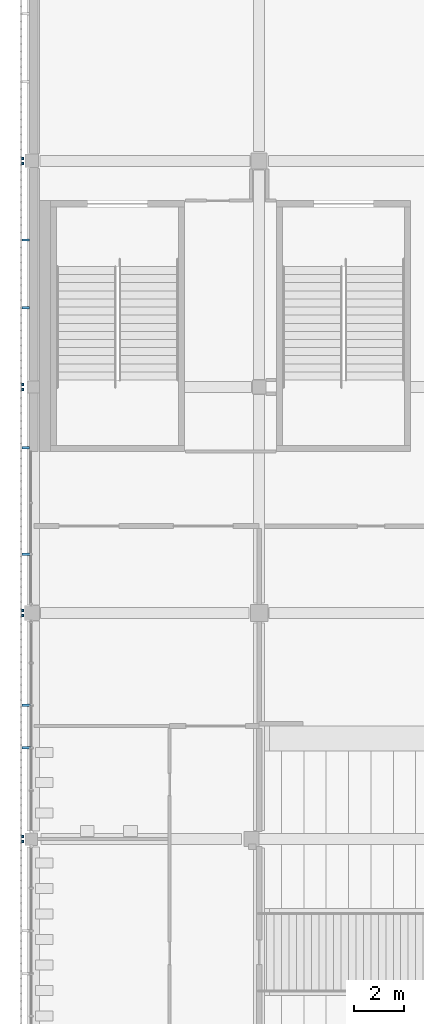
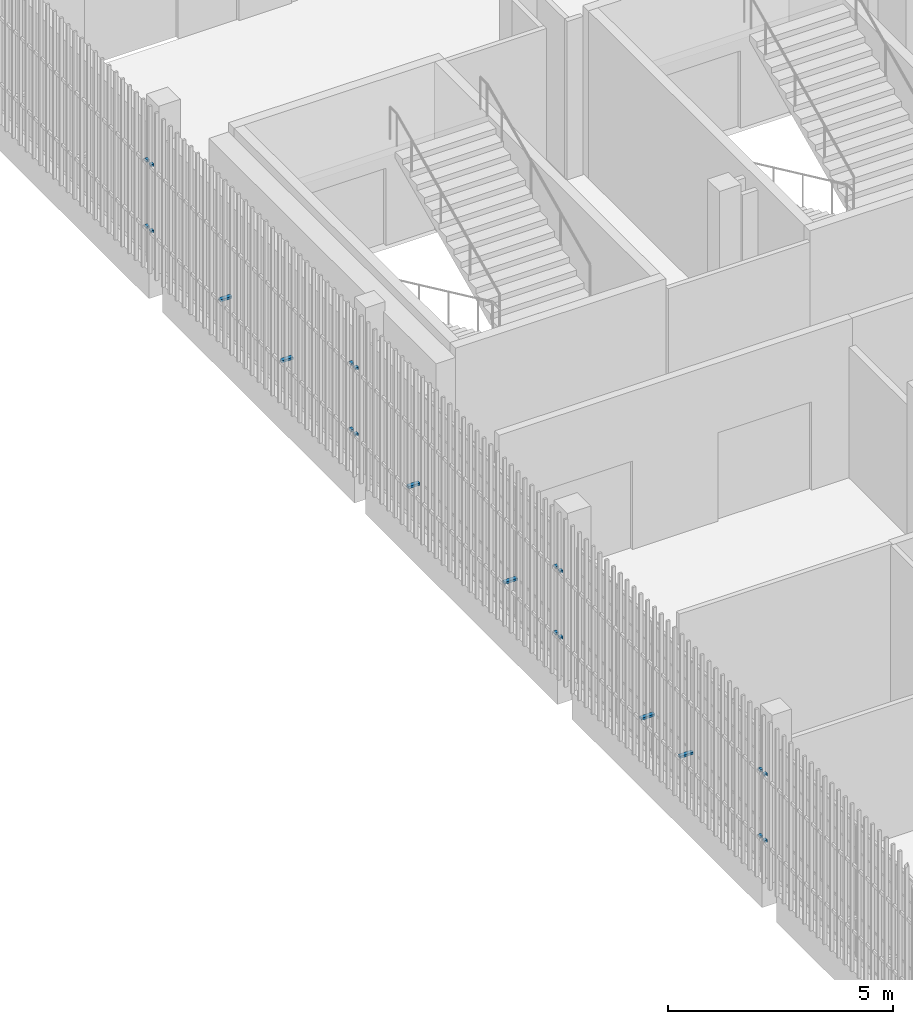
# One storey, part 104 of 139: 22 discrete accessories.
"""IFC4 building model written with IfcOpenShell, lengths in metres."""

from ifc_helpers import new_model, si_unit, direction, frame, origin, origin_2d, place, context, subcontext, project, spatial, rectangle, extrude, material, type_object, element, save


model = new_model("IFC4")

# Units and contexts
model_context = context("Model", 3, precision=1e-05, world=origin(), true_north=direction((0.0, 1.0)))
body_context = subcontext(model_context, "Body", "Model", "MODEL_VIEW")
ifc_project = project(units=[si_unit("LENGTHUNIT", "METRE"), si_unit("AREAUNIT", "SQUARE_METRE"), si_unit("VOLUMEUNIT", "CUBIC_METRE"), si_unit("PLANEANGLEUNIT", "RADIAN"), si_unit("MASSUNIT", "GRAM", prefix="KILO")], contexts=[model_context])

# Site, building, storey
site_placement = place(None, origin())
site = spatial("IfcSite", under=ifc_project, at=site_placement, CompositionType="ELEMENT")
building_placement = place(site_placement, origin())
building = spatial("IfcBuilding", under=site, at=building_placement, Name="Shirokan Park Arena", CompositionType="ELEMENT")
storey_placement = place(building_placement, frame((0.0, 0.0, 15.469970703125)))
storey = spatial("IfcBuildingStorey", under=building, at=storey_placement, Name="L03", CompositionType="ELEMENT", Elevation=15.469970703125)

# Discrete accessories
ifc_material = material(Name="Steel S355", Category="steel")
discrete_accessory_type = type_object("IfcDiscreteAccessoryType", Name="Veil bracket 100x60", PredefinedType="BRACKET", material=ifc_material)
for number, where, z_axis, x_axis, name in (
    (1, (-0.409912109375, 91.10009765625, 1.070068359375), (0.0, 0.0, 1.0), (0.0, -1.0, 0.0), "Veil bracket west bay 2 L03 2"),
    (2, (-0.409912109375, 91.10009765625, 2.8701171875), (0.0, 0.0, 1.0), (0.0, -1.0, 0.0), "Veil bracket west bay 2 L03 4"),
    (3, (-0.409912109375, 90.89990234375, 1.070068359375), (0.0, 0.0, 1.0), (0.0, -1.0, 0.0), "Veil bracket west bay 3 L03 1"),
    (4, (-0.409912109375, 82.0, 1.070068359375), (0.0, 0.0, 1.0), (0.0, -1.0, 0.0), "Veil bracket west bay 3 L03 2"),
    (5, (-0.409912109375, 90.89990234375, 2.8701171875), (0.0, 0.0, 1.0), (0.0, -1.0, 0.0), "Veil bracket west bay 3 L03 3"),
    (6, (-0.409912109375, 82.0, 2.8701171875), (0.0, 0.0, 1.0), (0.0, -1.0, 0.0), "Veil bracket west bay 3 L03 4"),
):
    element("IfcDiscreteAccessory", number, at=place(storey_placement, frame(where, z_axis=z_axis, x_axis=x_axis)), inside=storey, type_object=discrete_accessory_type, Name=name, PredefinedType="BRACKET", context=body_context, shape_type="SweptSolid", body=[
        extrude(rectangle(XDim=0.10009765625, YDim=0.070068359375, at=origin_2d()), origin(), (0.0, 0.0, 1.0), 0.06005859375),
    ])
for number, where, z_axis, x_axis, name in (
    (7, (-0.297607421875, 87.81494140625, 1.070068359375), (0.0, 0.0, 1.0), (0.0, -1.0, 0.0), "Veil bracket west bay 3 L03 wall 1"),
    (8, (-0.297607421875, 85.0849609375, 1.070068359375), (0.0, 0.0, 1.0), (0.0, -1.0, 0.0), "Veil bracket west bay 3 L03 wall 2"),
):
    element("IfcDiscreteAccessory", number, at=place(storey_placement, frame(where, z_axis=z_axis, x_axis=x_axis)), inside=storey, type_object=discrete_accessory_type, Name=name, PredefinedType="BRACKET", context=body_context, shape_type="SweptSolid", body=[
        extrude(rectangle(XDim=0.10009765625, YDim=0.294921875, at=origin_2d()), origin(), (0.0, 0.0, 1.0), 0.06005859375),
    ])
for number, where, z_axis, x_axis, name in (
    (9, (-0.409912109375, 81.800048828125, 1.070068359375), (0.0, 0.0, 1.0), (0.0, -1.0, 0.0), "Veil bracket west bay 4 L03 1"),
    (10, (-0.409912109375, 72.89990234375, 1.070068359375), (0.0, 0.0, 1.0), (0.0, -1.0, 0.0), "Veil bracket west bay 4 L03 2"),
    (11, (-0.409912109375, 81.800048828125, 2.8701171875), (0.0, 0.0, 1.0), (0.0, -1.0, 0.0), "Veil bracket west bay 4 L03 3"),
    (12, (-0.409912109375, 72.89990234375, 2.8701171875), (0.0, 0.0, 1.0), (0.0, -1.0, 0.0), "Veil bracket west bay 4 L03 4"),
):
    element("IfcDiscreteAccessory", number, at=place(storey_placement, frame(where, z_axis=z_axis, x_axis=x_axis)), inside=storey, type_object=discrete_accessory_type, Name=name, PredefinedType="BRACKET", context=body_context, shape_type="SweptSolid", body=[
        extrude(rectangle(XDim=0.10009765625, YDim=0.070068359375, at=origin_2d()), origin(), (0.0, 0.0, 1.0), 0.06005859375),
    ])
discrete_accessory_1_placement = place(storey_placement, frame((-0.297607421875, 79.449951171875, 1.070068359375), z_axis=(0.0, 0.0, 1.0), x_axis=(0.0, -1.0, 0.0)))
element("IfcDiscreteAccessory", 13, at=discrete_accessory_1_placement, inside=storey, type_object=discrete_accessory_type, Name="Veil bracket west bay 4 L03 wall 1", PredefinedType="BRACKET", context=body_context, shape_type="SweptSolid", body=[
    extrude(rectangle(XDim=0.10009765625, YDim=0.294921875, at=origin_2d()), origin(), (0.0, 0.0, 1.0), 0.06005859375),
])
discrete_accessory_2_placement = place(storey_placement, frame((-0.280029296875, 75.166748046875, 1.070068359375), z_axis=(0.0, 0.0, 1.0), x_axis=(0.0, -1.0, 0.0)))
element("IfcDiscreteAccessory", 14, at=discrete_accessory_2_placement, inside=storey, type_object=discrete_accessory_type, Name="Veil bracket west bay 4 L03 wall 2", PredefinedType="BRACKET", context=body_context, shape_type="SweptSolid", body=[
    extrude(rectangle(XDim=0.10009765625, YDim=0.330078125, at=origin_2d()), origin(), (0.0, 0.0, 1.0), 0.06005859375),
])
for number, where, z_axis, x_axis, name in (
    (15, (-0.409912109375, 72.699951171875, 1.070068359375), (0.0, 0.0, 1.0), (0.0, -1.0, 0.0), "Veil bracket west bay 5 L03 1"),
    (16, (-0.409912109375, 63.800048828125, 1.070068359375), (0.0, 0.0, 1.0), (0.0, -1.0, 0.0), "Veil bracket west bay 5 L03 2"),
    (17, (-0.409912109375, 72.699951171875, 2.8701171875), (0.0, 0.0, 1.0), (0.0, -1.0, 0.0), "Veil bracket west bay 5 L03 3"),
    (18, (-0.409912109375, 63.800048828125, 2.8701171875), (0.0, 0.0, 1.0), (0.0, -1.0, 0.0), "Veil bracket west bay 5 L03 4"),
):
    element("IfcDiscreteAccessory", number, at=place(storey_placement, frame(where, z_axis=z_axis, x_axis=x_axis)), inside=storey, type_object=discrete_accessory_type, Name=name, PredefinedType="BRACKET", context=body_context, shape_type="SweptSolid", body=[
        extrude(rectangle(XDim=0.10009765625, YDim=0.070068359375, at=origin_2d()), origin(), (0.0, 0.0, 1.0), 0.06005859375),
    ])
for number, where, z_axis, x_axis, name in (
    (19, (-0.2724609375, 69.080078125, 1.070068359375), (0.0, 0.0, 1.0), (0.0, -1.0, 0.0), "Veil bracket west bay 5 L03 wall 1"),
    (20, (-0.2724609375, 67.3701171875, 1.070068359375), (0.0, 0.0, 1.0), (0.0, -1.0, 0.0), "Veil bracket west bay 5 L03 wall 2"),
):
    element("IfcDiscreteAccessory", number, at=place(storey_placement, frame(where, z_axis=z_axis, x_axis=x_axis)), inside=storey, type_object=discrete_accessory_type, Name=name, PredefinedType="BRACKET", context=body_context, shape_type="SweptSolid", body=[
        extrude(rectangle(XDim=0.10009765625, YDim=0.344970703125, at=origin_2d()), origin(), (0.0, 0.0, 1.0), 0.06005859375),
    ])
for number, where, z_axis, x_axis, name in (
    (21, (-0.409912109375, 63.60009765625, 1.070068359375), (0.0, 0.0, 1.0), (0.0, -1.0, 0.0), "Veil bracket west bay 6 L03 1"),
    (22, (-0.409912109375, 63.60009765625, 2.8701171875), (0.0, 0.0, 1.0), (0.0, -1.0, 0.0), "Veil bracket west bay 6 L03 3"),
):
    element("IfcDiscreteAccessory", number, at=place(storey_placement, frame(where, z_axis=z_axis, x_axis=x_axis)), inside=storey, type_object=discrete_accessory_type, Name=name, PredefinedType="BRACKET", context=body_context, shape_type="SweptSolid", body=[
        extrude(rectangle(XDim=0.10009765625, YDim=0.070068359375, at=origin_2d()), origin(), (0.0, 0.0, 1.0), 0.06005859375),
    ])

save(model, "model.ifc")
